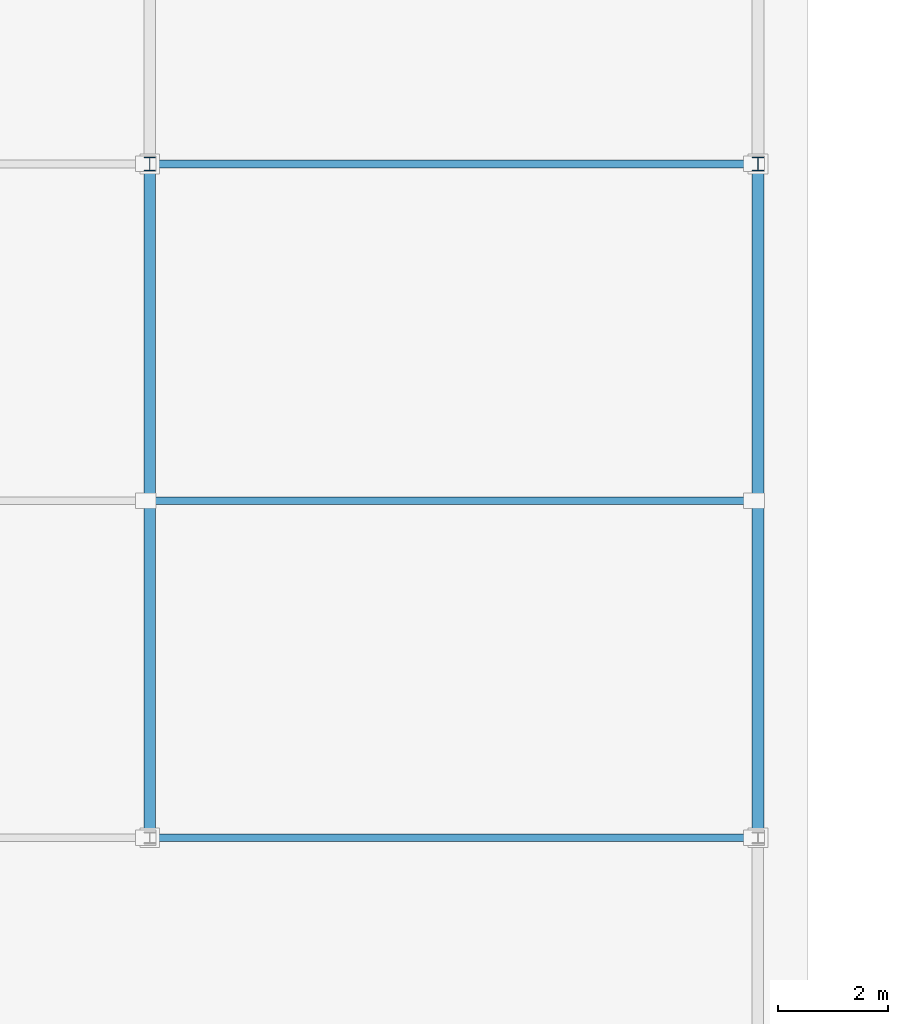
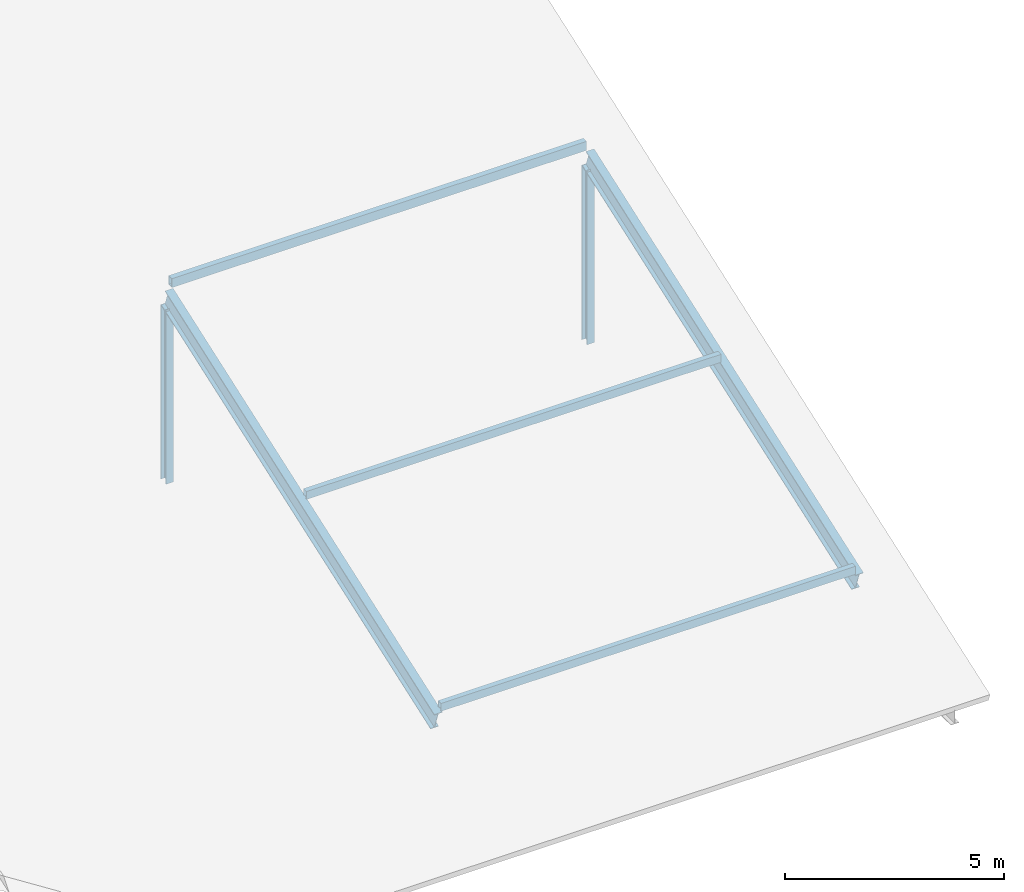
# One storey, part 8 of 42: 5 members, 2 beams.
"""IFC4 building model written with IfcOpenShell, lengths in metres."""

from ifc_helpers import new_model, si_unit, direction, frame, origin, origin_2d, place, context, subcontext, project, spatial, hollow_rectangle, i_section, extrude, material, material_profile, profile_set, type_object, element, save


model = new_model("IFC4")

# Units and contexts
model_context = context("Model", 3, precision=1e-05, world=origin(), true_north=direction((0.0, 1.0)))
body_context = subcontext(model_context, "Body", "Model", "MODEL_VIEW")
ifc_project = project(units=[si_unit("LENGTHUNIT", "METRE"), si_unit("AREAUNIT", "SQUARE_METRE"), si_unit("VOLUMEUNIT", "CUBIC_METRE"), si_unit("PLANEANGLEUNIT", "RADIAN"), si_unit("MASSUNIT", "GRAM", prefix="KILO")], contexts=[model_context])

# Site, building, storey
site_placement = place(None, origin())
site = spatial("IfcSite", under=ifc_project, at=site_placement, CompositionType="ELEMENT")
building_placement = place(site_placement, origin())
building = spatial("IfcBuilding", under=site, at=building_placement, Name="Kelmvaro Bay Concert Hall", CompositionType="ELEMENT")
storey_placement = place(building_placement, frame((0.0, 0.0, 26.699951171875)))
storey = spatial("IfcBuildingStorey", under=building, at=storey_placement, Name="RF", CompositionType="ELEMENT", Elevation=26.699951171875)

# Members
ifc_material_1 = material(Name="Steel ASTM A992 Grade 50", Category="steel")
ifc_material_profile_1 = material_profile(ifc_material_1, i_section(OverallWidth=0.201904296875, OverallDepth=0.2470703125, WebThickness=0.00732421875, FlangeThickness=0.010986328125, at=origin_2d()), Name="W10X33")
ifc_profile_set_1 = profile_set([ifc_material_profile_1], Name="Steel ASTM A992 Grade 50")
member_type_1 = type_object("IfcMemberType", Name="Crystal Crown Queen Post W10x33", PredefinedType="STRUT", material=ifc_profile_set_1)
for number, where, z_axis, x_axis, name in (
    (1, (36.0, 16.800048828125, -12.9150390625), (0.0, 0.0, 1.0), (1.0, 0.0, 0.0), "V3 Crystal Roof Post 017"),
    (2, (47.10009765625, 16.800048828125, -12.9150390625), (0.0, 0.0, 1.0), (1.0, 0.0, 0.0), "V3 Crystal Roof Post 022"),
):
    element("IfcMember", number, at=place(storey_placement, frame(where, z_axis=z_axis, x_axis=x_axis)), inside=storey, type_object=member_type_1, Name=name, PredefinedType="STRUT", context=body_context, shape_type="SweptSolid", body=[
        extrude(i_section(OverallWidth=0.201904296875, OverallDepth=0.2470703125, WebThickness=0.00732421875, FlangeThickness=0.010986328125, at=origin_2d()), origin(), (0.0, 0.0, 1.0), 4.862548828125),
    ])
ifc_material_2 = material(Name="Steel ASTM A500 Grade C", Category="steel")
ifc_material_profile_2 = material_profile(ifc_material_2, hollow_rectangle(XDim=0.139892578125, YDim=0.219970703125, WallThickness=0.010009765625, at=origin_2d()), Name="HSS220X140X10")
ifc_profile_set_2 = profile_set([ifc_material_profile_2], Name="Steel ASTM A500 Grade C")
member_type_2 = type_object("IfcMemberType", Name="Crystal Roof Eave Purlin HSS220x140x10", PredefinedType="PURLIN", material=ifc_profile_set_2)
for number, where, z_axis, x_axis, name in (
    (3, (36.0849609375, 4.5, -11.773193359375), (1.0, 0.0, 0.0), (0.0, 1.0, 0.0), "V3 Crystal Roof Purlin 004"),
    (4, (36.0849609375, 10.64990234375, -9.595458984375), (1.0, 0.0, 0.0), (0.0, 1.0, 0.0), "V3 Crystal Roof Purlin 008"),
):
    element("IfcMember", number, at=place(storey_placement, frame(where, z_axis=z_axis, x_axis=x_axis)), inside=storey, type_object=member_type_2, Name=name, PredefinedType="PURLIN", context=body_context, shape_type="SweptSolid", body=[
        extrude(hollow_rectangle(XDim=0.139892578125, YDim=0.219970703125, WallThickness=0.010009765625, at=origin_2d()), origin(), (0.0, 0.0, 1.0), 10.929931640625),
    ])
ifc_material_3 = material(Name="Steel ASTM A500 Grade C", Category="steel")
ifc_material_profile_3 = material_profile(ifc_material_3, hollow_rectangle(XDim=0.14990234375, YDim=0.25, WallThickness=0.010009765625, at=origin_2d()), Name="HSS250X150X10")
ifc_profile_set_3 = profile_set([ifc_material_profile_3], Name="Steel ASTM A500 Grade C")
member_type_3 = type_object("IfcMemberType", Name="Crystal Roof Mid Purlin HSS250x150x10", PredefinedType="PURLIN", material=ifc_profile_set_3)
member_placement = place(storey_placement, frame((36.0849609375, 16.800048828125, -7.402587890625), z_axis=(1.0, 0.0, 0.0), x_axis=(0.0, 1.0, 0.0)))
element("IfcMember", 5, at=member_placement, inside=storey, type_object=member_type_3, Name="V3 Crystal Roof Purlin 012", PredefinedType="PURLIN", context=body_context, shape_type="SweptSolid", body=[
    extrude(hollow_rectangle(XDim=0.14990234375, YDim=0.25, WallThickness=0.010009765625, at=origin_2d()), origin(), (0.0, 0.0, 1.0), 10.929931640625),
])

# Beams
ifc_material_4 = material(Name="Steel ASTM A992 Grade 50", Category="steel")
ifc_material_profile_4 = material_profile(ifc_material_4, i_section(OverallWidth=0.2119140625, OverallDepth=0.5439453125, WebThickness=0.01318359375, FlangeThickness=0.021240234375, at=origin_2d()), Name="W21X83")
ifc_profile_set_4 = profile_set([ifc_material_profile_4], Name="Steel ASTM A992 Grade 50")
beam_type = type_object("IfcBeamType", Name="Crystal Roof Sloped Rafter W21x83", PredefinedType="BEAM", material=ifc_profile_set_4)
for number, where, z_axis, x_axis, name in (
    (6, (36.0, 4.5, -12.151123046875), (0.0, 0.942646482344, 0.333792764038), (-1.0, 0.0, 0.0), "V3 Crystal Roof Rafter 015"),
    (7, (47.10009765625, 4.5, -12.151123046875), (0.0, 0.942646482344, 0.333792764038), (-1.0, 0.0, 0.0), "V3 Crystal Roof Rafter 020"),
):
    element("IfcBeam", number, at=place(storey_placement, frame(where, z_axis=z_axis, x_axis=x_axis)), inside=storey, type_object=beam_type, Name=name, PredefinedType="BEAM", context=body_context, shape_type="SweptSolid", body=[
        extrude(i_section(OverallWidth=0.2119140625, OverallDepth=0.5439453125, WebThickness=0.01318359375, FlangeThickness=0.021240234375, at=origin_2d()), origin(), (0.0, 0.0, 1.0), 13.04833984375),
    ])

save(model, "model.ifc")
